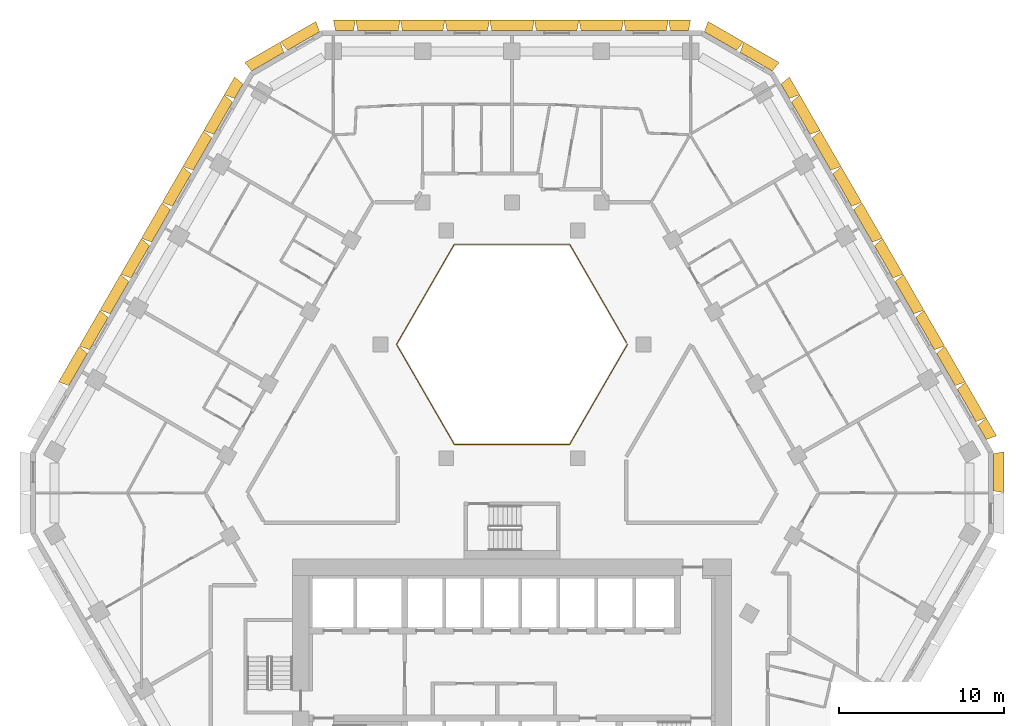
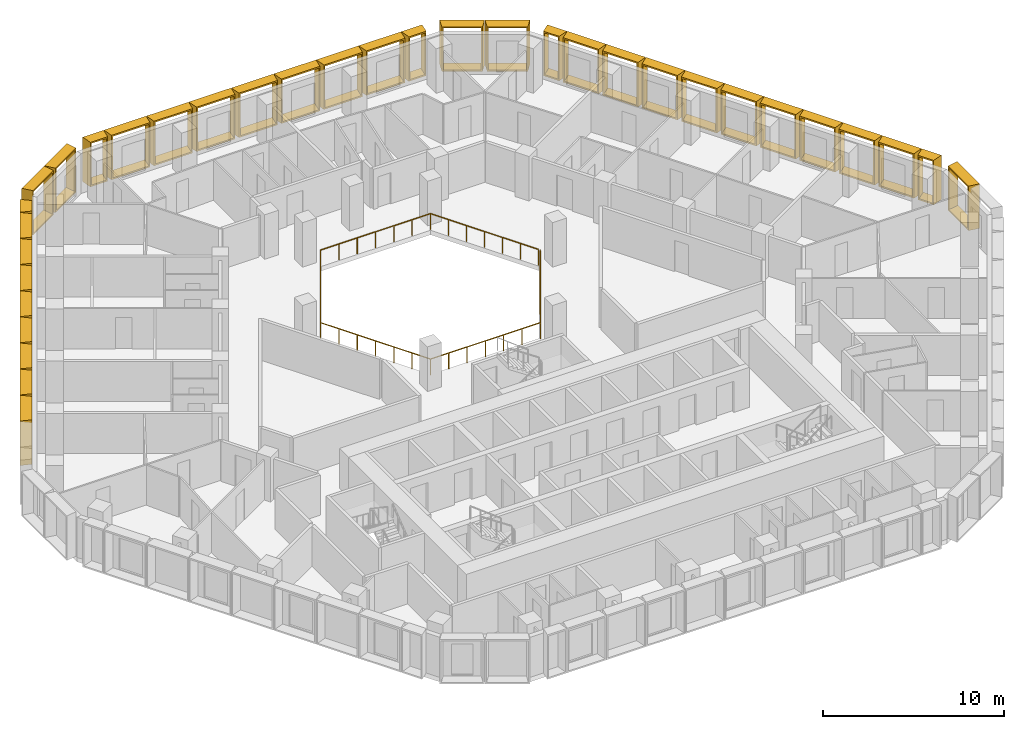
# One storey, part 15 of 15: 34 shading devices, 1 railing.
"""IFC4 building model written with IfcOpenShell, lengths in metres."""

from ifc_helpers import new_model, entity, si_unit, direction, frame, origin, origin_2d, place, context, subcontext, project, spatial, rectangle, extrude, source, transform, mapped, material, type_object, type_shapes, element, save


model = new_model("IFC4")

# Units and contexts
model_context = context("Model", 3, precision=1e-05, world=origin(), true_north=direction((0.0, 1.0)))
body_context = subcontext(model_context, "Body", "Model", "MODEL_VIEW")
ifc_project = project(units=[si_unit("LENGTHUNIT", "METRE"), si_unit("AREAUNIT", "SQUARE_METRE"), si_unit("VOLUMEUNIT", "CUBIC_METRE"), si_unit("PLANEANGLEUNIT", "RADIAN"), si_unit("MASSUNIT", "GRAM", prefix="KILO")], contexts=[model_context])

# Site, building, storey
site_placement = place(None, origin())
site = spatial("IfcSite", under=ifc_project, at=site_placement, CompositionType="ELEMENT")
building_placement = place(site_placement, origin())
building = spatial("IfcBuilding", under=site, at=building_placement, Name="Beryl Residences", CompositionType="ELEMENT")
storey_placement = place(building_placement, frame((0.0, 0.0, 78.0)))
storey = spatial("IfcBuildingStorey", under=building, at=storey_placement, Name="L23", CompositionType="ELEMENT", Elevation=78.0)

# Railing
ifc_material_1 = material(Name="Stainless steel balustrade with glass infill", Category="steel")
railing_type = type_object("IfcRailingType", Name="EG1 edge guard 1100 mm", PredefinedType="GUARDRAIL", material=ifc_material_1)
railing_placement = place(storey_placement, frame((6.9970703125, 8.0, 0.0)))
element("IfcRailing", 1, at=railing_placement, inside=storey, type_object=railing_type, Name="L23 atrium guard", PredefinedType="GUARDRAIL", context=body_context, shape_type="SweptSolid", body=[
    extrude(rectangle(XDim=0.048095703125, YDim=0.048095703125, at=origin_2d()), frame((0.0, 0.0, 1.076171875), z_axis=(-0.499921796684, -0.866070549782, 0.0), x_axis=(0.866070549782, -0.499921796684, 0.0)), (0.0, 0.0, 1.0), 6.9970703125),
    extrude(rectangle(XDim=0.048095703125, YDim=0.048095703125, at=origin_2d()), frame((-3.498046875, -6.06005859375, 1.076171875), z_axis=(-1.0, 0.0, 0.0), x_axis=(0.0, -1.0, 0.0)), (0.0, 0.0, 1.0), 6.998046875),
    extrude(rectangle(XDim=0.048095703125, YDim=0.048095703125, at=origin_2d()), frame((-10.49609375, -6.06005859375, 1.076171875), z_axis=(-0.499921796684, 0.866070549782, 0.0), x_axis=(-0.866070549782, -0.499921796684, 0.0)), (0.0, 0.0, 1.0), 6.9970703125),
    extrude(rectangle(XDim=0.048095703125, YDim=0.048095703125, at=origin_2d()), frame((-13.994140625, 0.0, 1.076171875), z_axis=(0.499921796684, 0.866070549782, 0.0), x_axis=(-0.866070549782, 0.499921796684, 0.0)), (0.0, 0.0, 1.0), 6.9970703125),
    extrude(rectangle(XDim=0.048095703125, YDim=0.048095703125, at=origin_2d()), frame((-10.49609375, 6.06005859375, 1.076171875), z_axis=(1.0, 0.0, 0.0), x_axis=(0.0, 1.0, 0.0)), (0.0, 0.0, 1.0), 6.998046875),
    extrude(rectangle(XDim=0.048095703125, YDim=0.048095703125, at=origin_2d()), frame((-3.498046875, 6.06005859375, 1.076171875), z_axis=(0.499919131929, -0.866072087953, 0.0), x_axis=(0.866072087953, 0.499919131929, 0.0)), (0.0, 0.0, 1.0), 6.877197265625),
    extrude(rectangle(XDim=0.0419921875, YDim=0.0419921875, at=origin_2d()), origin(), (0.0, 0.0, 1.0), 1.052001953125),
    extrude(rectangle(XDim=0.0419921875, YDim=0.0419921875, at=origin_2d()), frame((-0.5830078125, -1.010009765625, 0.0)), (0.0, 0.0, 1.0), 1.052001953125),
    extrude(rectangle(XDim=0.0419921875, YDim=0.0419921875, at=origin_2d()), frame((-1.166015625, -2.02001953125, 0.0)), (0.0, 0.0, 1.0), 1.052001953125),
    extrude(rectangle(XDim=0.0419921875, YDim=0.0419921875, at=origin_2d()), frame((-1.7490234375, -3.030029296875, 0.0)), (0.0, 0.0, 1.0), 1.052001953125),
    extrude(rectangle(XDim=0.0419921875, YDim=0.0419921875, at=origin_2d()), frame((-2.33203125, -4.0400390625, 0.0)), (0.0, 0.0, 1.0), 1.052001953125),
    extrude(rectangle(XDim=0.0419921875, YDim=0.0419921875, at=origin_2d()), frame((-2.9150390625, -5.050048828125, 0.0)), (0.0, 0.0, 1.0), 1.052001953125),
    extrude(rectangle(XDim=0.0419921875, YDim=0.0419921875, at=origin_2d()), frame((-3.498046875, -6.06005859375, 0.0)), (0.0, 0.0, 1.0), 1.052001953125),
    extrude(rectangle(XDim=0.0419921875, YDim=0.0419921875, at=origin_2d()), frame((-4.664306640625, -6.06005859375, 0.0)), (0.0, 0.0, 1.0), 1.052001953125),
    extrude(rectangle(XDim=0.0419921875, YDim=0.0419921875, at=origin_2d()), frame((-5.830810546875, -6.06005859375, 0.0)), (0.0, 0.0, 1.0), 1.052001953125),
    extrude(rectangle(XDim=0.0419921875, YDim=0.0419921875, at=origin_2d()), frame((-6.9970703125, -6.06005859375, 0.0)), (0.0, 0.0, 1.0), 1.052001953125),
    extrude(rectangle(XDim=0.0419921875, YDim=0.0419921875, at=origin_2d()), frame((-8.163330078125, -6.06005859375, 0.0)), (0.0, 0.0, 1.0), 1.052001953125),
    extrude(rectangle(XDim=0.0419921875, YDim=0.0419921875, at=origin_2d()), frame((-9.329833984375, -6.06005859375, 0.0)), (0.0, 0.0, 1.0), 1.052001953125),
    extrude(rectangle(XDim=0.0419921875, YDim=0.0419921875, at=origin_2d()), frame((-10.49609375, -6.06005859375, 0.0)), (0.0, 0.0, 1.0), 1.052001953125),
    extrude(rectangle(XDim=0.0419921875, YDim=0.0419921875, at=origin_2d()), frame((-11.0791015625, -5.050048828125, 0.0)), (0.0, 0.0, 1.0), 1.052001953125),
    extrude(rectangle(XDim=0.0419921875, YDim=0.0419921875, at=origin_2d()), frame((-11.662109375, -4.0400390625, 0.0)), (0.0, 0.0, 1.0), 1.052001953125),
    extrude(rectangle(XDim=0.0419921875, YDim=0.0419921875, at=origin_2d()), frame((-12.2451171875, -3.030029296875, 0.0)), (0.0, 0.0, 1.0), 1.052001953125),
    extrude(rectangle(XDim=0.0419921875, YDim=0.0419921875, at=origin_2d()), frame((-12.828125, -2.02001953125, 0.0)), (0.0, 0.0, 1.0), 1.052001953125),
    extrude(rectangle(XDim=0.0419921875, YDim=0.0419921875, at=origin_2d()), frame((-13.4111328125, -1.010009765625, 0.0)), (0.0, 0.0, 1.0), 1.052001953125),
    extrude(rectangle(XDim=0.0419921875, YDim=0.0419921875, at=origin_2d()), frame((-13.994140625, 0.0, 0.0)), (0.0, 0.0, 1.0), 1.052001953125),
    extrude(rectangle(XDim=0.0419921875, YDim=0.0419921875, at=origin_2d()), frame((-13.4111328125, 1.010009765625, 0.0)), (0.0, 0.0, 1.0), 1.052001953125),
    extrude(rectangle(XDim=0.0419921875, YDim=0.0419921875, at=origin_2d()), frame((-12.828125, 2.02001953125, 0.0)), (0.0, 0.0, 1.0), 1.052001953125),
    extrude(rectangle(XDim=0.0419921875, YDim=0.0419921875, at=origin_2d()), frame((-12.2451171875, 3.030029296875, 0.0)), (0.0, 0.0, 1.0), 1.052001953125),
    extrude(rectangle(XDim=0.0419921875, YDim=0.0419921875, at=origin_2d()), frame((-11.662109375, 4.0400390625, 0.0)), (0.0, 0.0, 1.0), 1.052001953125),
    extrude(rectangle(XDim=0.0419921875, YDim=0.0419921875, at=origin_2d()), frame((-11.0791015625, 5.050048828125, 0.0)), (0.0, 0.0, 1.0), 1.052001953125),
    extrude(rectangle(XDim=0.0419921875, YDim=0.0419921875, at=origin_2d()), frame((-10.49609375, 6.06005859375, 0.0)), (0.0, 0.0, 1.0), 1.052001953125),
    extrude(rectangle(XDim=0.0419921875, YDim=0.0419921875, at=origin_2d()), frame((-9.329833984375, 6.06005859375, 0.0)), (0.0, 0.0, 1.0), 1.052001953125),
    extrude(rectangle(XDim=0.0419921875, YDim=0.0419921875, at=origin_2d()), frame((-8.163330078125, 6.06005859375, 0.0)), (0.0, 0.0, 1.0), 1.052001953125),
    extrude(rectangle(XDim=0.0419921875, YDim=0.0419921875, at=origin_2d()), frame((-6.9970703125, 6.06005859375, 0.0)), (0.0, 0.0, 1.0), 1.052001953125),
    extrude(rectangle(XDim=0.0419921875, YDim=0.0419921875, at=origin_2d()), frame((-5.830810546875, 6.06005859375, 0.0)), (0.0, 0.0, 1.0), 1.052001953125),
    extrude(rectangle(XDim=0.0419921875, YDim=0.0419921875, at=origin_2d()), frame((-4.664306640625, 6.06005859375, 0.0)), (0.0, 0.0, 1.0), 1.052001953125),
    extrude(rectangle(XDim=0.0419921875, YDim=0.0419921875, at=origin_2d()), frame((-3.498046875, 6.06005859375, 0.0)), (0.0, 0.0, 1.0), 1.052001953125),
    extrude(rectangle(XDim=0.0419921875, YDim=0.0419921875, at=origin_2d()), frame((-2.925048828125, 5.0673828125, 0.0)), (0.0, 0.0, 1.0), 1.052001953125),
    extrude(rectangle(XDim=0.0419921875, YDim=0.0419921875, at=origin_2d()), frame((-2.35205078125, 4.07470703125, 0.0)), (0.0, 0.0, 1.0), 1.052001953125),
    extrude(rectangle(XDim=0.0419921875, YDim=0.0419921875, at=origin_2d()), frame((-1.779052734375, 3.08203125, 0.0)), (0.0, 0.0, 1.0), 1.052001953125),
    extrude(rectangle(XDim=0.0419921875, YDim=0.0419921875, at=origin_2d()), frame((-1.2060546875, 2.08935546875, 0.0)), (0.0, 0.0, 1.0), 1.052001953125),
    extrude(rectangle(XDim=0.0419921875, YDim=0.0419921875, at=origin_2d()), frame((-0.633056640625, 1.0966796875, 0.0)), (0.0, 0.0, 1.0), 1.052001953125),
    extrude(rectangle(XDim=0.0419921875, YDim=0.0419921875, at=origin_2d()), frame((-0.06005859375, 0.10400390625, 0.0)), (0.0, 0.0, 1.0), 1.052001953125),
])

# Shading devices
ifc_material_2 = material(Name="Aluminium pale anodised", Category="aluminium")
shading_device_type_1 = type_object("IfcShadingDeviceType", Name="FR126-65A OUTER SKIN frame 650 mm deep, splay 10/10 deg, 1260 x 3000 mm cell", PredefinedType="USERDEFINED", material=ifc_material_2)
cartesian_point_1 = entity("IfcCartesianPoint", [-0.5048828125, 0.0])
cartesian_point_2 = entity("IfcCartesianPoint", [-0.423828125, 0.10009765625])
cartesian_point_3 = entity("IfcCartesianPoint", [-0.61962890625, 0.0])
cartesian_point_4 = entity("IfcCartesianPoint", [-0.538330078125, 0.10009765625])
shared_shape_1 = source(origin(), body_context, "Body", "SweptSolid", [
    entity("IfcExtrudedAreaSolidTapered", entity("IfcArbitraryProfileDefWithVoids", "AREA", None, entity("IfcPolyline", [cartesian_point_1, entity("IfcCartesianPoint", [0.5048828125, 0.0]), entity("IfcCartesianPoint", [0.5048828125, 3.0]), entity("IfcCartesianPoint", [-0.5048828125, 3.0]), cartesian_point_1]), [entity("IfcPolyline", [cartesian_point_2, entity("IfcCartesianPoint", [0.423828125, 0.10009765625]), entity("IfcCartesianPoint", [0.423828125, 2.89990234375]), entity("IfcCartesianPoint", [-0.423828125, 2.89990234375]), cartesian_point_2])]), entity("IfcAxis2Placement3D", entity("IfcCartesianPoint", [0.0, 0.0, 0.0]), entity("IfcDirection", [0.0, 1.0, 0.0]), entity("IfcDirection", [-1.0, 0.0, 0.0])), entity("IfcDirection", [0.0, 0.0, 1.0]), 0.64990234375, entity("IfcArbitraryProfileDefWithVoids", "AREA", None, entity("IfcPolyline", [cartesian_point_3, entity("IfcCartesianPoint", [0.61962890625, 0.0]), entity("IfcCartesianPoint", [0.61962890625, 3.0]), entity("IfcCartesianPoint", [-0.61962890625, 3.0]), cartesian_point_3]), [entity("IfcPolyline", [cartesian_point_4, entity("IfcCartesianPoint", [0.538330078125, 0.10009765625]), entity("IfcCartesianPoint", [0.538330078125, 2.89990234375]), entity("IfcCartesianPoint", [-0.538330078125, 2.89990234375]), cartesian_point_4])])),
])
type_shapes(shading_device_type_1, [shared_shape_1])
for number, where, z_axis, x_axis, name in (
    (2, (-16.552001953125, 23.33203125, 0.0), (0.0, 0.0, 1.0), (0.5, 0.866025403784, 0.0), "FR126-65A frame L23 NW 1"),
    (3, (28.48193359375, 2.66796875, 0.0), (0.0, 0.0, 1.0), (0.5, -0.866025403784, 0.0), "FR126-65A frame L23 NE 1"),
    (4, (16.552001953125, 23.3310546875, 0.0), (0.0, 0.0, 1.0), (0.5, -0.866025403784, 0.0), "FR126-65A frame L23 NE 11"),
):
    element("IfcShadingDevice", number, at=place(storey_placement, frame(where, z_axis=z_axis, x_axis=x_axis)), inside=storey, type_object=shading_device_type_1, Name=name, ObjectType="OUTER SKIN", PredefinedType="USERDEFINED", context=body_context, shape_type="MappedRepresentation", body=[
        mapped(shared_shape_1, transform((0.0, 0.0, 0.0))),
    ])
ifc_material_3 = material(Name="Aluminium pale anodised", Category="aluminium")
shading_device_type_2 = type_object("IfcShadingDeviceType", Name="FR135-65A OUTER SKIN frame 650 mm deep, splay 10/10 deg, 1350 x 3000 mm cell", PredefinedType="USERDEFINED", material=ifc_material_3)
cartesian_point_5 = entity("IfcCartesianPoint", [-0.550048828125, 0.0])
cartesian_point_6 = entity("IfcCartesianPoint", [-0.46875, 0.10009765625])
cartesian_point_7 = entity("IfcCartesianPoint", [-0.66455078125, 0.0])
cartesian_point_8 = entity("IfcCartesianPoint", [-0.58349609375, 0.10009765625])
shared_shape_2 = source(origin(), body_context, "Body", "SweptSolid", [
    entity("IfcExtrudedAreaSolidTapered", entity("IfcArbitraryProfileDefWithVoids", "AREA", None, entity("IfcPolyline", [cartesian_point_5, entity("IfcCartesianPoint", [0.550048828125, 0.0]), entity("IfcCartesianPoint", [0.550048828125, 3.0]), entity("IfcCartesianPoint", [-0.550048828125, 3.0]), cartesian_point_5]), [entity("IfcPolyline", [cartesian_point_6, entity("IfcCartesianPoint", [0.46875, 0.10009765625]), entity("IfcCartesianPoint", [0.46875, 2.89990234375]), entity("IfcCartesianPoint", [-0.46875, 2.89990234375]), cartesian_point_6])]), entity("IfcAxis2Placement3D", entity("IfcCartesianPoint", [0.0, 0.0, 0.0]), entity("IfcDirection", [0.0, 1.0, 0.0]), entity("IfcDirection", [-1.0, 0.0, 0.0])), entity("IfcDirection", [0.0, 0.0, 1.0]), 0.64990234375, entity("IfcArbitraryProfileDefWithVoids", "AREA", None, entity("IfcPolyline", [cartesian_point_7, entity("IfcCartesianPoint", [0.66455078125, 0.0]), entity("IfcCartesianPoint", [0.66455078125, 3.0]), entity("IfcCartesianPoint", [-0.66455078125, 3.0]), cartesian_point_7]), [entity("IfcPolyline", [cartesian_point_8, entity("IfcCartesianPoint", [0.58349609375, 0.10009765625]), entity("IfcCartesianPoint", [0.58349609375, 2.89990234375]), entity("IfcCartesianPoint", [-0.58349609375, 2.89990234375]), cartesian_point_8])])),
])
type_shapes(shading_device_type_2, [shared_shape_2])
for number, where, z_axis, x_axis, name in (
    (5, (10.14794921875, 27.0, 0.0), (0.0, 0.0, 1.0), (1.0, 0.0, 0.0), "FR135-65A frame L23 N 1"),
    (6, (-10.14990234375, 27.0, 0.0), (0.0, 0.0, 1.0), (1.0, 0.0, 0.0), "FR135-65A frame L23 N 9"),
):
    element("IfcShadingDevice", number, at=place(storey_placement, frame(where, z_axis=z_axis, x_axis=x_axis)), inside=storey, type_object=shading_device_type_2, Name=name, ObjectType="OUTER SKIN", PredefinedType="USERDEFINED", context=body_context, shape_type="MappedRepresentation", body=[
        mapped(shared_shape_2, transform((0.0, 0.0, 0.0))),
    ])
ifc_material_4 = material(Name="Aluminium pale anodised", Category="aluminium")
shading_device_type_3 = type_object("IfcShadingDeviceType", Name="FR250-65A OUTER SKIN frame 650 mm deep, splay 10/10 deg, 2500 x 3000 mm cell", PredefinedType="USERDEFINED", material=ifc_material_4)
cartesian_point_9 = entity("IfcCartesianPoint", [-1.125, 0.0])
cartesian_point_10 = entity("IfcCartesianPoint", [-1.043701171875, 0.10009765625])
cartesian_point_11 = entity("IfcCartesianPoint", [-1.239501953125, 0.0])
cartesian_point_12 = entity("IfcCartesianPoint", [-1.158447265625, 0.10009765625])
shared_shape_3 = source(origin(), body_context, "Body", "SweptSolid", [
    entity("IfcExtrudedAreaSolidTapered", entity("IfcArbitraryProfileDefWithVoids", "AREA", None, entity("IfcPolyline", [cartesian_point_9, entity("IfcCartesianPoint", [1.125, 0.0]), entity("IfcCartesianPoint", [1.125, 3.0]), entity("IfcCartesianPoint", [-1.125, 3.0]), cartesian_point_9]), [entity("IfcPolyline", [cartesian_point_10, entity("IfcCartesianPoint", [1.043701171875, 0.10009765625]), entity("IfcCartesianPoint", [1.043701171875, 2.89990234375]), entity("IfcCartesianPoint", [-1.043701171875, 2.89990234375]), cartesian_point_10])]), entity("IfcAxis2Placement3D", entity("IfcCartesianPoint", [0.0, 0.0, 0.0]), entity("IfcDirection", [0.0, 1.0, 0.0]), entity("IfcDirection", [-1.0, 0.0, 0.0])), entity("IfcDirection", [0.0, 0.0, 1.0]), 0.64990234375, entity("IfcArbitraryProfileDefWithVoids", "AREA", None, entity("IfcPolyline", [cartesian_point_11, entity("IfcCartesianPoint", [1.239501953125, 0.0]), entity("IfcCartesianPoint", [1.239501953125, 3.0]), entity("IfcCartesianPoint", [-1.239501953125, 3.0]), cartesian_point_11]), [entity("IfcPolyline", [cartesian_point_12, entity("IfcCartesianPoint", [1.158447265625, 0.10009765625]), entity("IfcCartesianPoint", [1.158447265625, 2.89990234375]), entity("IfcCartesianPoint", [-1.158447265625, 2.89990234375]), cartesian_point_12])])),
])
type_shapes(shading_device_type_3, [shared_shape_3])
for number, where, z_axis, x_axis, name in (
    (7, (-12.6298828125, 26.375, 0.0), (0.0, 0.0, 1.0), (0.866025403784, 0.5, 0.0), "FR250-65A frame L23 N-NW 1"),
    (8, (-14.7939453125, 25.125, 0.0), (0.0, 0.0, 1.0), (0.866025403784, 0.5, 0.0), "FR250-65A frame L23 N-NW 2"),
    (9, (29.156982421875, 0.25, 0.0), (0.0, 0.0, 1.0), (0.0, -1.0, 0.0), "FR250-65A frame L23 SE-NE 2"),
    (10, (14.7939453125, 25.125, 0.0), (0.0, 0.0, 1.0), (0.866025403784, -0.5, 0.0), "FR250-65A frame L23 NE-N 1"),
    (11, (12.6298828125, 26.375, 0.0), (0.0, 0.0, 1.0), (0.866025403784, -0.5, 0.0), "FR250-65A frame L23 NE-N 2"),
):
    element("IfcShadingDevice", number, at=place(storey_placement, frame(where, z_axis=z_axis, x_axis=x_axis)), inside=storey, type_object=shading_device_type_3, Name=name, ObjectType="OUTER SKIN", PredefinedType="USERDEFINED", context=body_context, shape_type="MappedRepresentation", body=[
        mapped(shared_shape_3, transform((0.0, 0.0, 0.0))),
    ])
ifc_material_5 = material(Name="Aluminium pale anodised", Category="aluminium")
shading_device_type_4 = type_object("IfcShadingDeviceType", Name="FR251-65A OUTER SKIN frame 650 mm deep, splay 10/10 deg, 2510 x 3000 mm cell", PredefinedType="USERDEFINED", material=ifc_material_5)
cartesian_point_13 = entity("IfcCartesianPoint", [-1.1298828125, 0.0])
cartesian_point_14 = entity("IfcCartesianPoint", [-1.048828125, 0.10009765625])
cartesian_point_15 = entity("IfcCartesianPoint", [-1.24462890625, 0.0])
cartesian_point_16 = entity("IfcCartesianPoint", [-1.163330078125, 0.10009765625])
shared_shape_4 = source(origin(), body_context, "Body", "SweptSolid", [
    entity("IfcExtrudedAreaSolidTapered", entity("IfcArbitraryProfileDefWithVoids", "AREA", None, entity("IfcPolyline", [cartesian_point_13, entity("IfcCartesianPoint", [1.1298828125, 0.0]), entity("IfcCartesianPoint", [1.1298828125, 3.0]), entity("IfcCartesianPoint", [-1.1298828125, 3.0]), cartesian_point_13]), [entity("IfcPolyline", [cartesian_point_14, entity("IfcCartesianPoint", [1.048828125, 0.10009765625]), entity("IfcCartesianPoint", [1.048828125, 2.89990234375]), entity("IfcCartesianPoint", [-1.048828125, 2.89990234375]), cartesian_point_14])]), entity("IfcAxis2Placement3D", entity("IfcCartesianPoint", [0.0, 0.0, 0.0]), entity("IfcDirection", [0.0, 1.0, 0.0]), entity("IfcDirection", [-1.0, 0.0, 0.0])), entity("IfcDirection", [0.0, 0.0, 1.0]), 0.64990234375, entity("IfcArbitraryProfileDefWithVoids", "AREA", None, entity("IfcPolyline", [cartesian_point_15, entity("IfcCartesianPoint", [1.24462890625, 0.0]), entity("IfcCartesianPoint", [1.24462890625, 3.0]), entity("IfcCartesianPoint", [-1.24462890625, 3.0]), cartesian_point_15]), [entity("IfcPolyline", [cartesian_point_16, entity("IfcCartesianPoint", [1.163330078125, 0.10009765625]), entity("IfcCartesianPoint", [1.163330078125, 2.89990234375]), entity("IfcCartesianPoint", [-1.163330078125, 2.89990234375]), cartesian_point_16])])),
])
type_shapes(shading_device_type_4, [shared_shape_4])
for number, where, z_axis, x_axis, name in (
    (12, (-17.493896484375, 21.699951171875, 0.0), (0.0, 0.0, 1.0), (0.5, 0.866025403784, 0.0), "FR251-65A frame L23 NW 2"),
    (13, (-18.7490234375, 19.52490234375, 0.0), (0.0, 0.0, 1.0), (0.5, 0.866025403784, 0.0), "FR251-65A frame L23 NW 3"),
    (14, (-20.0048828125, 17.35009765625, 0.0), (0.0, 0.0, 1.0), (0.5, 0.866025403784, 0.0), "FR251-65A frame L23 NW 4"),
    (15, (-21.260986328125, 15.175048828125, 0.0), (0.0, 0.0, 1.0), (0.5, 0.866025403784, 0.0), "FR251-65A frame L23 NW 5"),
    (16, (-22.51708984375, 13.0, 0.0), (0.0, 0.0, 1.0), (0.5, 0.866025403784, 0.0), "FR251-65A frame L23 NW 6"),
    (17, (-23.77294921875, 10.824951171875, 0.0), (0.0, 0.0, 1.0), (0.5, 0.866025403784, 0.0), "FR251-65A frame L23 NW 7"),
    (18, (-25.028076171875, 8.64990234375, 0.0), (0.0, 0.0, 1.0), (0.5, 0.866025403784, 0.0), "FR251-65A frame L23 NW 8"),
    (19, (-26.283935546875, 6.47509765625, 0.0), (0.0, 0.0, 1.0), (0.5, 0.866025403784, 0.0), "FR251-65A frame L23 NW 9"),
    (20, (27.5400390625, 4.300048828125, 0.0), (0.0, 0.0, 1.0), (0.5, -0.866025403784, 0.0), "FR251-65A frame L23 NE 2"),
    (21, (26.284912109375, 6.47509765625, 0.0), (0.0, 0.0, 1.0), (0.5, -0.866025403784, 0.0), "FR251-65A frame L23 NE 3"),
    (22, (25.029052734375, 8.64990234375, 0.0), (0.0, 0.0, 1.0), (0.5, -0.866025403784, 0.0), "FR251-65A frame L23 NE 4"),
    (23, (23.77294921875, 10.824951171875, 0.0), (0.0, 0.0, 1.0), (0.5, -0.866025403784, 0.0), "FR251-65A frame L23 NE 5"),
    (24, (22.51708984375, 13.0, 0.0), (0.0, 0.0, 1.0), (0.5, -0.866025403784, 0.0), "FR251-65A frame L23 NE 6"),
    (25, (21.260986328125, 15.175048828125, 0.0), (0.0, 0.0, 1.0), (0.5, -0.866025403784, 0.0), "FR251-65A frame L23 NE 7"),
    (26, (20.006103515625, 17.35009765625, 0.0), (0.0, 0.0, 1.0), (0.5, -0.866025403784, 0.0), "FR251-65A frame L23 NE 8"),
    (27, (18.75, 19.52490234375, 0.0), (0.0, 0.0, 1.0), (0.5, -0.866025403784, 0.0), "FR251-65A frame L23 NE 9"),
    (28, (17.493896484375, 21.699951171875, 0.0), (0.0, 0.0, 1.0), (0.5, -0.866025403784, 0.0), "FR251-65A frame L23 NE 10"),
):
    element("IfcShadingDevice", number, at=place(storey_placement, frame(where, z_axis=z_axis, x_axis=x_axis)), inside=storey, type_object=shading_device_type_4, Name=name, ObjectType="OUTER SKIN", PredefinedType="USERDEFINED", context=body_context, shape_type="MappedRepresentation", body=[
        mapped(shared_shape_4, transform((0.0, 0.0, 0.0))),
    ])
ifc_material_6 = material(Name="Aluminium pale anodised", Category="aluminium")
shading_device_type_5 = type_object("IfcShadingDeviceType", Name="FR271-65A OUTER SKIN frame 650 mm deep, splay 10/10 deg, 2710 x 3000 mm cell", PredefinedType="USERDEFINED", material=ifc_material_6)
cartesian_point_17 = entity("IfcCartesianPoint", [-1.22998046875, 0.0])
cartesian_point_18 = entity("IfcCartesianPoint", [-1.148681640625, 0.10009765625])
cartesian_point_19 = entity("IfcCartesianPoint", [-1.3447265625, 0.0])
cartesian_point_20 = entity("IfcCartesianPoint", [-1.263427734375, 0.10009765625])
shared_shape_5 = source(origin(), body_context, "Body", "SweptSolid", [
    entity("IfcExtrudedAreaSolidTapered", entity("IfcArbitraryProfileDefWithVoids", "AREA", None, entity("IfcPolyline", [cartesian_point_17, entity("IfcCartesianPoint", [1.22998046875, 0.0]), entity("IfcCartesianPoint", [1.22998046875, 3.0]), entity("IfcCartesianPoint", [-1.22998046875, 3.0]), cartesian_point_17]), [entity("IfcPolyline", [cartesian_point_18, entity("IfcCartesianPoint", [1.148681640625, 0.10009765625]), entity("IfcCartesianPoint", [1.148681640625, 2.89990234375]), entity("IfcCartesianPoint", [-1.148681640625, 2.89990234375]), cartesian_point_18])]), entity("IfcAxis2Placement3D", entity("IfcCartesianPoint", [0.0, 0.0, 0.0]), entity("IfcDirection", [0.0, 1.0, 0.0]), entity("IfcDirection", [-1.0, 0.0, 0.0])), entity("IfcDirection", [0.0, 0.0, 1.0]), 0.64990234375, entity("IfcArbitraryProfileDefWithVoids", "AREA", None, entity("IfcPolyline", [cartesian_point_19, entity("IfcCartesianPoint", [1.3447265625, 0.0]), entity("IfcCartesianPoint", [1.3447265625, 3.0]), entity("IfcCartesianPoint", [-1.3447265625, 3.0]), cartesian_point_19]), [entity("IfcPolyline", [cartesian_point_20, entity("IfcCartesianPoint", [1.263427734375, 0.10009765625]), entity("IfcCartesianPoint", [1.263427734375, 2.89990234375]), entity("IfcCartesianPoint", [-1.263427734375, 2.89990234375]), cartesian_point_20])])),
])
type_shapes(shading_device_type_5, [shared_shape_5])
for number, where, z_axis, x_axis, name in (
    (29, (8.118896484375, 27.0, 0.0), (0.0, 0.0, 1.0), (1.0, 0.0, 0.0), "FR271-65A frame L23 N 2"),
    (30, (5.412109375, 27.0, 0.0), (0.0, 0.0, 1.0), (1.0, 0.0, 0.0), "FR271-65A frame L23 N 3"),
    (31, (2.705078125, 27.0, 0.0), (0.0, 0.0, 1.0), (1.0, 0.0, 0.0), "FR271-65A frame L23 N 4"),
    (32, (-0.0009765625, 27.0, 0.0), (0.0, 0.0, 1.0), (1.0, 0.0, 0.0), "FR271-65A frame L23 N 5"),
    (33, (-2.70703125, 27.0, 0.0), (0.0, 0.0, 1.0), (1.0, 0.0, 0.0), "FR271-65A frame L23 N 6"),
    (34, (-5.4140625, 27.0, 0.0), (0.0, 0.0, 1.0), (1.0, 0.0, 0.0), "FR271-65A frame L23 N 7"),
    (35, (-8.1201171875, 27.0, 0.0), (0.0, 0.0, 1.0), (1.0, 0.0, 0.0), "FR271-65A frame L23 N 8"),
):
    element("IfcShadingDevice", number, at=place(storey_placement, frame(where, z_axis=z_axis, x_axis=x_axis)), inside=storey, type_object=shading_device_type_5, Name=name, ObjectType="OUTER SKIN", PredefinedType="USERDEFINED", context=body_context, shape_type="MappedRepresentation", body=[
        mapped(shared_shape_5, transform((0.0, 0.0, 0.0))),
    ])

save(model, "model.ifc")
